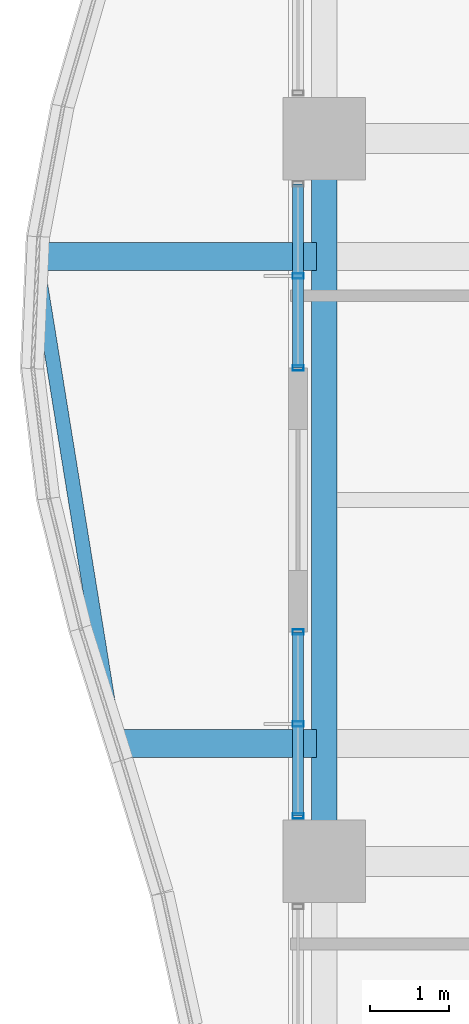
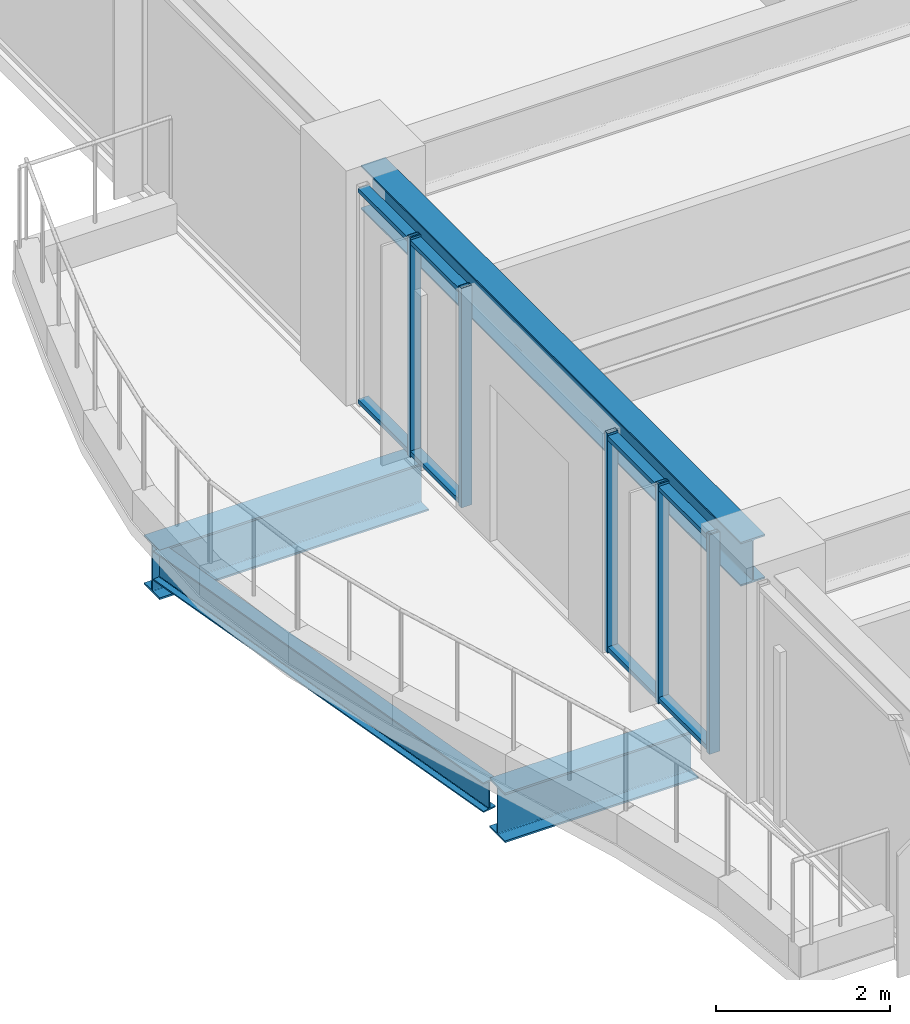
# One storey, part 8 of 36: 9 members, 4 beams, 2 elements without a shape of their own.
"""IFC4 building model written with IfcOpenShell, lengths in metres."""

from ifc_helpers import new_model, si_unit, direction, frame, origin, origin_2d, place, context, subcontext, project, spatial, hollow_rectangle, i_section, extrude, material, material_profile, profile_set, type_object, element, aggregate, save


model = new_model("IFC4")

# Units and contexts
model_context = context("Model", 3, precision=1e-05, world=origin(), true_north=direction((0.0, 1.0)))
body_context = subcontext(model_context, "Body", "Model", "MODEL_VIEW")
ifc_project = project(units=[si_unit("LENGTHUNIT", "METRE"), si_unit("AREAUNIT", "SQUARE_METRE"), si_unit("VOLUMEUNIT", "CUBIC_METRE"), si_unit("PLANEANGLEUNIT", "RADIAN"), si_unit("MASSUNIT", "GRAM", prefix="KILO")], contexts=[model_context])

# Site, building, storey
site_placement = place(None, origin())
site = spatial("IfcSite", under=ifc_project, at=site_placement, CompositionType="ELEMENT")
building_placement = place(site_placement, origin())
building = spatial("IfcBuilding", under=site, at=building_placement, Name="Kolvaren Belvedere", CompositionType="ELEMENT")
storey_placement = place(building_placement, frame((0.0, 0.0, 88.699951171875)))
storey = spatial("IfcBuildingStorey", under=building, at=storey_placement, Name="L25", CompositionType="ELEMENT", Elevation=88.699951171875)

# Beams
ifc_material_1 = material(Name="Structural steel ASTM A992 Grade 50", Category="steel")
ifc_material_profile_1 = material_profile(ifc_material_1, i_section(OverallWidth=0.35498046875, OverallDepth=0.696044921875, WebThickness=0.015380859375, FlangeThickness=0.02490234375, FilletRadius=0.02197265625, at=origin_2d()), Name="W27X146")
ifc_profile_set_1 = profile_set([ifc_material_profile_1], Name="Structural steel ASTM A992 Grade 50")
beam_type_1 = type_object("IfcBeamType", Name="BM-CANT-BAL", PredefinedType="BEAM", material=ifc_profile_set_1)
beam_1_placement = place(storey_placement, frame((-20.044921875, -3.10009765625, -0.56787109375), z_axis=(-1.0, 0.0, 0.0), x_axis=(0.0, -1.0, 0.0)))
element("IfcBeam", 1, at=beam_1_placement, inside=storey, type_object=beam_type_1, Name="L25 Planted Balcony Cantilever BAL-W-1", PredefinedType="BEAM", context=body_context, shape_type="SweptSolid", body=[
    extrude(i_section(OverallWidth=0.35498046875, OverallDepth=0.696044921875, WebThickness=0.015380859375, FlangeThickness=0.02490234375, FilletRadius=0.02197265625, at=origin_2d()), origin(), (0.0, 0.0, 1.0), 2.56884765625),
])
beam_2_placement = place(storey_placement, frame((-20.044921875, 3.10009765625, -0.56787109375), z_axis=(-1.0, 0.0, 0.0), x_axis=(0.0, -1.0, 0.0)))
element("IfcBeam", 2, at=beam_2_placement, inside=storey, type_object=beam_type_1, Name="L25 Planted Balcony Cantilever BAL-W-2", PredefinedType="BEAM", context=body_context, shape_type="SweptSolid", body=[
    extrude(i_section(OverallWidth=0.35498046875, OverallDepth=0.696044921875, WebThickness=0.015380859375, FlangeThickness=0.02490234375, FilletRadius=0.02197265625, at=origin_2d()), origin(), (0.0, 0.0, 1.0), 3.571044921875),
])
ifc_material_2 = material(Name="Structural steel ASTM A992 Grade 50", Category="steel")
ifc_material_profile_2 = material_profile(ifc_material_2, i_section(OverallWidth=0.180908203125, OverallDepth=0.4169921875, WebThickness=0.010986328125, FlangeThickness=0.018310546875, FilletRadius=0.013916015625, at=origin_2d()), Name="W16X57")
ifc_profile_set_2 = profile_set([ifc_material_profile_2], Name="Structural steel ASTM A992 Grade 50")
beam_type_2 = type_object("IfcBeamType", Name="BM-EDGE-W16X57", PredefinedType="BEAM", material=ifc_profile_set_2)
beam_3_placement = place(storey_placement, frame((-22.635986328125, -2.9619140625, -0.428466796875), z_axis=(-0.159567567211, 0.987187009383, 0.0), x_axis=(-0.987187009383, -0.159567567211, 0.0)))
element("IfcBeam", 3, at=beam_3_placement, inside=storey, type_object=beam_type_2, Name="L25 Balcony Tip Header Beam BAL-W", PredefinedType="BEAM", context=body_context, shape_type="SweptSolid", body=[
    extrude(i_section(OverallWidth=0.180908203125, OverallDepth=0.4169921875, WebThickness=0.010986328125, FlangeThickness=0.018310546875, FilletRadius=0.013916015625, at=origin_2d()), origin(), (0.0, 0.0, 1.0), 6.000732421875),
])
ifc_material_3 = material(Name="Structural steel ASTM A992 Grade 50", Category="steel")
ifc_material_profile_3 = material_profile(ifc_material_3, i_section(OverallWidth=0.324951171875, OverallDepth=0.615966796875, WebThickness=0.013916015625, FlangeThickness=0.021484375, FilletRadius=0.02001953125, at=origin_2d()), Name="W24X117")
ifc_profile_set_3 = profile_set([ifc_material_profile_3], Name="Structural steel ASTM A992 Grade 50")
beam_type_3 = type_object("IfcBeamType", Name="BM-SPAN-W24X117", PredefinedType="SPANDREL", material=ifc_profile_set_3)
beam_4_placement = place(storey_placement, frame((-19.949951171875, 4.36376953125, 2.77197265625), z_axis=(0.0, -1.0, 0.0), x_axis=(1.0, 0.0, 0.0)))
element("IfcBeam", 4, at=beam_4_placement, inside=storey, type_object=beam_type_3, Name="L25 Perimeter Spandrel W3-W2", PredefinedType="SPANDREL", context=body_context, shape_type="SweptSolid", body=[
    extrude(i_section(OverallWidth=0.324951171875, OverallDepth=0.615966796875, WebThickness=0.013916015625, FlangeThickness=0.021484375, FilletRadius=0.02001953125, at=origin_2d()), origin(), (0.0, 0.0, 1.0), 8.7275390625),
])

# Curtain wall, members
ifc_material_4 = material(Name="Anodised pale-metal aluminium AA 6063-T6", Category="aluminium")
curtain_wall_type = type_object("IfcCurtainWallType", Name="CW-Z2-MID", PredefinedType="NOTDEFINED", material=ifc_material_4)
curtain_wall_1_placement = place(storey_placement, origin())
curtain_wall_1 = element("IfcCurtainWall", 5, at=curtain_wall_1_placement, inside=storey, type_object=curtain_wall_type, Name="L25 Unitised Curtain Wall FCW-L25-W1-B2", PredefinedType="NOTDEFINED")
ifc_material_5 = material(Name="Anodised pale-metal aluminium AA 6063-T6", Category="aluminium")
ifc_material_profile_4 = material_profile(ifc_material_5, hollow_rectangle(XDim=0.06494140625, YDim=0.139892578125, WallThickness=0.00390625, at=origin_2d()), Name="ALU-MUL-140X65")
ifc_profile_set_4 = profile_set([ifc_material_profile_4], Name="Anodised pale-metal aluminium AA 6063-T6")
member_type_1 = type_object("IfcMemberType", Name="CW-MUL-140", PredefinedType="MULLION", material=ifc_profile_set_4)
member_1_placement = place(storey_placement, frame((-20.280029296875, -4.0224609375, 0.0), z_axis=(0.0, 0.0, 1.0), x_axis=(0.0, 1.0, 0.0)))
member_1 = element("IfcMember", 6, at=member_1_placement, type_object=member_type_1, Name="FCW-L25-W1-B2 Unitised Mullion 1", PredefinedType="MULLION", context=body_context, shape_type="SweptSolid", body=[
    extrude(hollow_rectangle(XDim=0.06494140625, YDim=0.139892578125, WallThickness=0.00390625, at=origin_2d()), origin(), (0.0, 0.0, 1.0), 3.080078125),
])
member_2_placement = place(storey_placement, frame((-20.280029296875, -2.851318359375, 0.0), z_axis=(0.0, 0.0, 1.0), x_axis=(0.0, 1.0, 0.0)))
member_2 = element("IfcMember", 7, at=member_2_placement, type_object=member_type_1, Name="FCW-L25-W1-B2 Unitised Mullion 2", PredefinedType="MULLION", context=body_context, shape_type="SweptSolid", body=[
    extrude(hollow_rectangle(XDim=0.06494140625, YDim=0.139892578125, WallThickness=0.00390625, at=origin_2d()), origin(), (0.0, 0.0, 1.0), 3.080078125),
])
member_3_placement = place(storey_placement, frame((-20.280029296875, -1.679931640625, 0.0), z_axis=(0.0, 0.0, 1.0), x_axis=(0.0, 1.0, 0.0)))
member_3 = element("IfcMember", 8, at=member_3_placement, type_object=member_type_1, Name="FCW-L25-W1-B2 Unitised Mullion 3", PredefinedType="MULLION", context=body_context, shape_type="SweptSolid", body=[
    extrude(hollow_rectangle(XDim=0.06494140625, YDim=0.139892578125, WallThickness=0.00390625, at=origin_2d()), origin(), (0.0, 0.0, 1.0), 3.080078125),
])

curtain_wall_2_placement = place(storey_placement, origin())
curtain_wall_2 = element("IfcCurtainWall", 9, at=curtain_wall_2_placement, inside=storey, type_object=curtain_wall_type, Name="L25 Unitised Curtain Wall FCW-L25-W2-B1", PredefinedType="NOTDEFINED")
member_4_placement = place(storey_placement, frame((-20.280029296875, 1.679931640625, 0.0), z_axis=(0.0, 0.0, 1.0), x_axis=(0.0, 1.0, 0.0)))
member_4 = element("IfcMember", 10, at=member_4_placement, type_object=member_type_1, Name="FCW-L25-W2-B1 Unitised Mullion 1", PredefinedType="MULLION", context=body_context, shape_type="SweptSolid", body=[
    extrude(hollow_rectangle(XDim=0.06494140625, YDim=0.139892578125, WallThickness=0.00390625, at=origin_2d()), origin(), (0.0, 0.0, 1.0), 3.080078125),
])
member_5_placement = place(storey_placement, frame((-20.280029296875, 2.851318359375, 0.0), z_axis=(0.0, 0.0, 1.0), x_axis=(0.0, 1.0, 0.0)))
member_5 = element("IfcMember", 11, at=member_5_placement, type_object=member_type_1, Name="FCW-L25-W2-B1 Unitised Mullion 2", PredefinedType="MULLION", context=body_context, shape_type="SweptSolid", body=[
    extrude(hollow_rectangle(XDim=0.06494140625, YDim=0.139892578125, WallThickness=0.00390625, at=origin_2d()), origin(), (0.0, 0.0, 1.0), 3.080078125),
])

# Member
ifc_material_6 = material(Name="Anodised pale-metal aluminium AA 6063-T6", Category="aluminium")
ifc_material_profile_5 = material_profile(ifc_material_6, hollow_rectangle(XDim=0.06005859375, YDim=0.139892578125, WallThickness=0.00390625, at=origin_2d()), Name="ALU-TRN-140X60")
ifc_profile_set_5 = profile_set([ifc_material_profile_5], Name="Anodised pale-metal aluminium AA 6063-T6")
member_type_2 = type_object("IfcMemberType", Name="CW-TRN-140", PredefinedType="USERDEFINED", material=ifc_profile_set_5)
member_6_placement = place(storey_placement, frame((-20.280029296875, -4.0224609375, 0.06005859375), z_axis=(0.0, 1.0, 0.0), x_axis=(0.0, 0.0, 1.0)))
member_6 = element("IfcMember", 12, at=member_6_placement, type_object=member_type_2, Name="FCW-L25-W1-B2 Sill Transom", ObjectType="TRANSOM", PredefinedType="USERDEFINED", context=body_context, shape_type="SweptSolid", body=[
    extrude(hollow_rectangle(XDim=0.06005859375, YDim=0.139892578125, WallThickness=0.00390625, at=origin_2d()), origin(), (0.0, 0.0, 1.0), 2.342529296875),
])

member_7_placement = place(storey_placement, frame((-20.280029296875, -4.0224609375, 3.02001953125), z_axis=(0.0, 1.0, 0.0), x_axis=(0.0, 0.0, 1.0)))
member_7 = element("IfcMember", 13, at=member_7_placement, type_object=member_type_2, Name="FCW-L25-W1-B2 Head Transom", ObjectType="TRANSOM", PredefinedType="USERDEFINED", context=body_context, shape_type="SweptSolid", body=[
    extrude(hollow_rectangle(XDim=0.06005859375, YDim=0.139892578125, WallThickness=0.00390625, at=origin_2d()), origin(), (0.0, 0.0, 1.0), 2.342529296875),
])

aggregate(curtain_wall_1, [member_1, member_2, member_3, member_6, member_7])

member_8_placement = place(storey_placement, frame((-20.280029296875, 1.679931640625, 0.06005859375), z_axis=(0.0, 1.0, 0.0), x_axis=(0.0, 0.0, 1.0)))
member_8 = element("IfcMember", 14, at=member_8_placement, type_object=member_type_2, Name="FCW-L25-W2-B1 Sill Transom", ObjectType="TRANSOM", PredefinedType="USERDEFINED", context=body_context, shape_type="SweptSolid", body=[
    extrude(hollow_rectangle(XDim=0.06005859375, YDim=0.139892578125, WallThickness=0.00390625, at=origin_2d()), origin(), (0.0, 0.0, 1.0), 2.342529296875),
])

member_9_placement = place(storey_placement, frame((-20.280029296875, 1.679931640625, 3.02001953125), z_axis=(0.0, 1.0, 0.0), x_axis=(0.0, 0.0, 1.0)))
member_9 = element("IfcMember", 15, at=member_9_placement, type_object=member_type_2, Name="FCW-L25-W2-B1 Head Transom", ObjectType="TRANSOM", PredefinedType="USERDEFINED", context=body_context, shape_type="SweptSolid", body=[
    extrude(hollow_rectangle(XDim=0.06005859375, YDim=0.139892578125, WallThickness=0.00390625, at=origin_2d()), origin(), (0.0, 0.0, 1.0), 2.342529296875),
])

aggregate(curtain_wall_2, [member_4, member_5, member_8, member_9])

save(model, "model.ifc")
